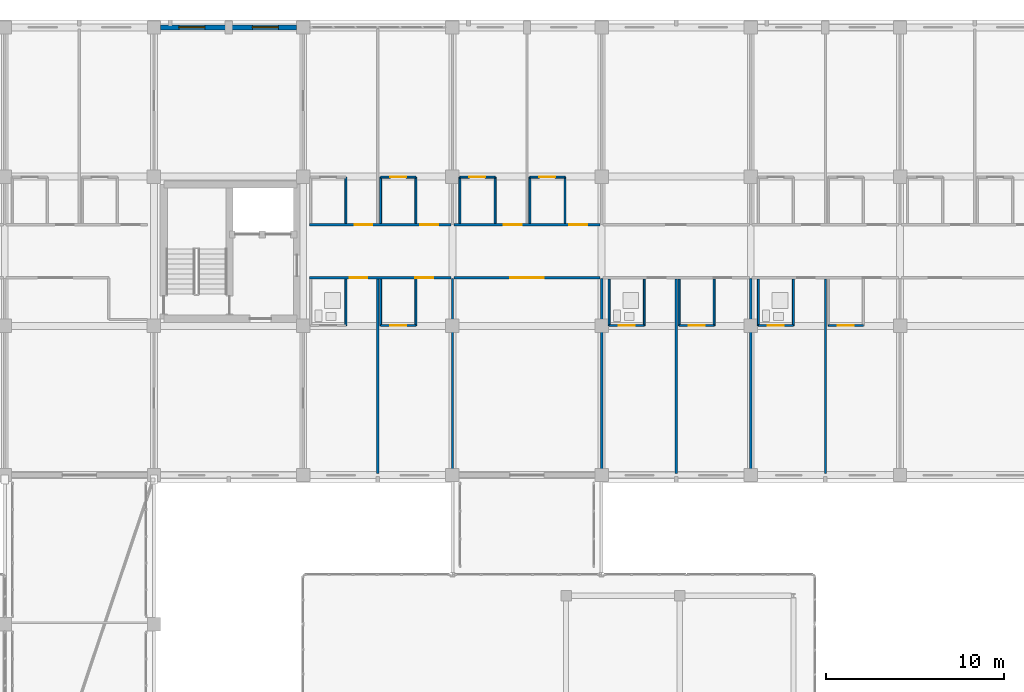
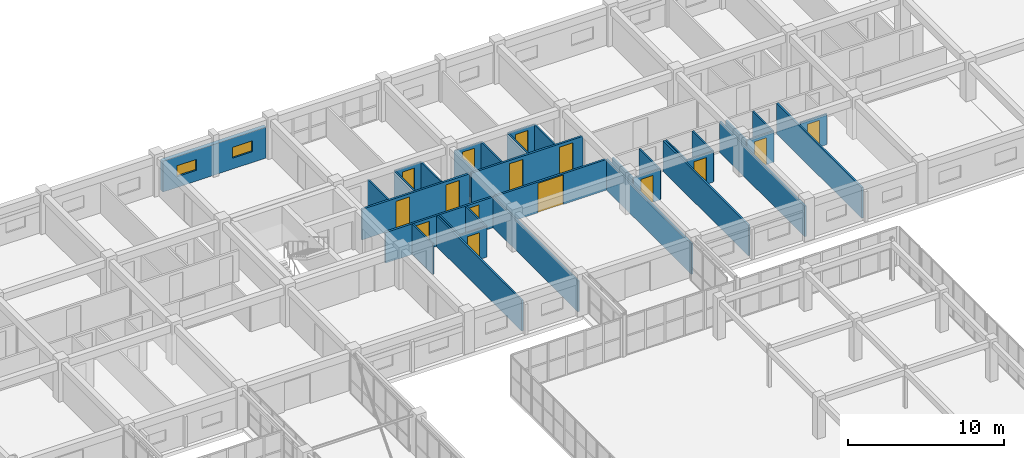
# One storey, part 179 of 200: 35 walls, 15 doors, 2 windows, 17 openings.
"""IFC4 building model written with IfcOpenShell, lengths in metres."""

from ifc_helpers import new_model, si_unit, direction, frame, frame_2d, origin, place, context, subcontext, project, spatial, rectangle, extrude, material, layer, layer_set, type_object, element, fill, save


model = new_model("IFC4")

# Units and contexts
model_context = context("Model", 3, precision=1e-05, world=origin(), true_north=direction((0.0, 1.0)))
body_context = subcontext(model_context, "Body", "Model", "MODEL_VIEW")
ifc_project = project(units=[si_unit("LENGTHUNIT", "METRE"), si_unit("AREAUNIT", "SQUARE_METRE"), si_unit("VOLUMEUNIT", "CUBIC_METRE"), si_unit("PLANEANGLEUNIT", "RADIAN"), si_unit("MASSUNIT", "GRAM", prefix="KILO")], contexts=[model_context])

# Site, building, storey
site_placement = place(None, origin())
site = spatial("IfcSite", under=ifc_project, at=site_placement, CompositionType="ELEMENT")
building_placement = place(site_placement, origin())
building = spatial("IfcBuilding", under=site, at=building_placement, Name="Trelvath General Hospital", CompositionType="ELEMENT")
storey_placement = place(building_placement, frame((0.0, 0.0, 4.800048828125)))
storey = spatial("IfcBuildingStorey", under=building, at=storey_placement, Name="L01", CompositionType="ELEMENT", Elevation=4.800048828125)

# Wall, openings, doors
ifc_material_1 = material(Name="Gypsum acoustic steel-stud partition", Category="steel")
ifc_layer_1 = layer(ifc_material_1, 0.14990234375)
ifc_layer_set_1 = layer_set([ifc_layer_1], Name="Gypsum acoustic steel-stud partition")
wall_type_1 = type_object("IfcWallType", Name="ClinicalPartition 150", PredefinedType="PARTITIONING", material=ifc_layer_set_1)
wall_1_placement = place(storey_placement, frame((92.760009765625, 103.5, 0.0), z_axis=(0.0, 0.0, 1.0), x_axis=(1.0, 0.0, 0.0)))
wall_1 = element("IfcWall", 1, at=wall_1_placement, inside=storey, type_object=wall_type_1, Name="Corridor Partition L01-595", PredefinedType="PARTITIONING", context=body_context, shape_type="SweptSolid", body=[
    extrude(rectangle(XDim=7.9599609375, YDim=0.14990234375, at=frame_2d((3.97998046875, 0.0))), origin(), (0.0, 0.0, 1.0), 2.39990234375),
])
opening_1_placement = place(wall_1_placement, frame((2.25, 0.0, 0.0)))
opening_1 = element("IfcOpeningElement", 2, at=opening_1_placement, cuts=wall_1, Name="Opening D-1-0581", PredefinedType="OPENING", context=body_context, shape_type="SweptSolid", body=[
    extrude(rectangle(XDim=1.0, YDim=2.14990234375, at=frame_2d((0.5, 1.074951171875))), frame((0.0, 0.0849609375, 0.0), z_axis=(0.0, -1.0, 0.0), x_axis=(1.0, 0.0, 0.0)), (0.0, 0.0, 1.0), 0.169921875),
])
opening_2_placement = place(wall_1_placement, frame((5.949951171875, 0.0, 0.0)))
opening_2 = element("IfcOpeningElement", 3, at=opening_2_placement, cuts=wall_1, Name="Opening D-1-0582", PredefinedType="OPENING", context=body_context, shape_type="SweptSolid", body=[
    extrude(rectangle(XDim=1.0, YDim=2.14990234375, at=frame_2d((0.5, 1.074951171875))), frame((0.0, 0.0849609375, 0.0), z_axis=(0.0, -1.0, 0.0), x_axis=(1.0, 0.0, 0.0)), (0.0, 0.0, 1.0), 0.169921875),
])
ifc_material_2 = material(Name="Acoustic hospital timber leaf", Category="wood")
door_type_1 = type_object("IfcDoorType", Name="Door Consult 1000x2150", OperationType="NOTDEFINED", PredefinedType="DOOR", material=ifc_material_2)
door_1_placement = place(opening_1_placement, origin())
door_1 = element("IfcDoor", 4, at=door_1_placement, inside=storey, type_object=door_type_1, Name="Patient Room Door L01-581", OperationType="SINGLE_SWING_RIGHT", OverallHeight=2.14990234375, OverallWidth=1.0, PredefinedType="DOOR", context=body_context, shape_type="SweptSolid", body=[
    extrude(rectangle(XDim=1.0, YDim=2.14990234375, at=frame_2d((0.5, 1.074951171875))), frame((0.0, 0.02490234375, 0.0), z_axis=(0.0, -1.0, 0.0), x_axis=(1.0, 0.0, 0.0)), (0.0, 0.0, 1.0), 0.050048828125),
])
fill(opening_1, door_1)
door_2_placement = place(opening_2_placement, origin())
door_2 = element("IfcDoor", 5, at=door_2_placement, inside=storey, type_object=door_type_1, Name="Patient Room Door L01-582", OperationType="SINGLE_SWING_LEFT", OverallHeight=2.14990234375, OverallWidth=1.0, PredefinedType="DOOR", context=body_context, shape_type="SweptSolid", body=[
    extrude(rectangle(XDim=1.0, YDim=2.14990234375, at=frame_2d((0.5, 1.074951171875))), frame((0.0, 0.02490234375, 0.0), z_axis=(0.0, -1.0, 0.0), x_axis=(1.0, 0.0, 0.0)), (0.0, 0.0, 1.0), 0.050048828125),
])
fill(opening_2, door_2)

wall_2_placement = place(storey_placement, frame((100.719970703125, 106.5, 0.0), z_axis=(0.0, 0.0, 1.0), x_axis=(-1.0, 0.0, 0.0)))
wall_2 = element("IfcWall", 6, at=wall_2_placement, inside=storey, type_object=wall_type_1, Name="Corridor Partition N L01-603", PredefinedType="PARTITIONING", context=body_context, shape_type="SweptSolid", body=[
    extrude(rectangle(XDim=7.9599609375, YDim=0.14990234375, at=frame_2d((3.97998046875, 0.0))), origin(), (0.0, 0.0, 1.0), 2.39990234375),
])
opening_3_placement = place(wall_2_placement, frame((0.72998046875, 0.0, 0.0)))
opening_3 = element("IfcOpeningElement", 7, at=opening_3_placement, cuts=wall_2, Name="Opening D-1-0585", PredefinedType="OPENING", context=body_context, shape_type="SweptSolid", body=[
    extrude(rectangle(XDim=1.0, YDim=2.14990234375, at=frame_2d((0.5, 1.074951171875))), frame((0.0, 0.0849609375, 0.0), z_axis=(0.0, -1.0, 0.0), x_axis=(1.0, 0.0, 0.0)), (0.0, 0.0, 1.0), 0.169921875),
])
opening_4_placement = place(wall_2_placement, frame((4.429931640625, 0.0, 0.0)))
opening_4 = element("IfcOpeningElement", 8, at=opening_4_placement, cuts=wall_2, Name="Opening D-1-0586", PredefinedType="OPENING", context=body_context, shape_type="SweptSolid", body=[
    extrude(rectangle(XDim=1.0, YDim=2.14990234375, at=frame_2d((0.5, 1.074951171875))), frame((0.0, 0.0849609375, 0.0), z_axis=(0.0, -1.0, 0.0), x_axis=(1.0, 0.0, 0.0)), (0.0, 0.0, 1.0), 0.169921875),
])
door_3_placement = place(opening_3_placement, origin())
door_3 = element("IfcDoor", 9, at=door_3_placement, inside=storey, type_object=door_type_1, Name="Patient Room Door N L01-585", OperationType="SINGLE_SWING_RIGHT", OverallHeight=2.14990234375, OverallWidth=1.0, PredefinedType="DOOR", context=body_context, shape_type="SweptSolid", body=[
    extrude(rectangle(XDim=1.0, YDim=2.14990234375, at=frame_2d((0.5, 1.074951171875))), frame((0.0, 0.02490234375, 0.0), z_axis=(0.0, -1.0, 0.0), x_axis=(1.0, 0.0, 0.0)), (0.0, 0.0, 1.0), 0.050048828125),
])
fill(opening_3, door_3)
door_4_placement = place(opening_4_placement, origin())
door_4 = element("IfcDoor", 10, at=door_4_placement, inside=storey, type_object=door_type_1, Name="Patient Room Door N L01-586", OperationType="SINGLE_SWING_RIGHT", OverallHeight=2.14990234375, OverallWidth=1.0, PredefinedType="DOOR", context=body_context, shape_type="SweptSolid", body=[
    extrude(rectangle(XDim=1.0, YDim=2.14990234375, at=frame_2d((0.5, 1.074951171875))), frame((0.0, 0.02490234375, 0.0), z_axis=(0.0, -1.0, 0.0), x_axis=(1.0, 0.0, 0.0)), (0.0, 0.0, 1.0), 0.050048828125),
])
fill(opening_4, door_4)

# Wall, opening, door
wall_3_placement = place(storey_placement, frame((100.8798828125, 103.5, 0.0), z_axis=(0.0, 0.0, 1.0), x_axis=(1.0, 0.0, 0.0)))
wall_3 = element("IfcWall", 11, at=wall_3_placement, inside=storey, type_object=wall_type_1, Name="Corridor Partition L01-613", PredefinedType="PARTITIONING", context=body_context, shape_type="SweptSolid", body=[
    extrude(rectangle(XDim=8.240234375, YDim=0.14990234375, at=frame_2d((4.1201171875, 0.0))), origin(), (0.0, 0.0, 1.0), 2.39990234375),
])
opening_5_placement = place(wall_3_placement, frame((3.169921875, 0.0, 0.0)))
opening_5 = element("IfcOpeningElement", 12, at=opening_5_placement, cuts=wall_3, Name="Opening D-1-0589", PredefinedType="OPENING", context=body_context, shape_type="SweptSolid", body=[
    extrude(rectangle(XDim=1.89990234375, YDim=2.300048828125, at=frame_2d((0.949951171875, 1.14990234375))), frame((0.0, 0.0849609375, 0.0), z_axis=(0.0, -1.0, 0.0), x_axis=(1.0, 0.0, 0.0)), (0.0, 0.0, 1.0), 0.169921875),
])
ifc_material_3 = material(Name="Thermally broken glazed aluminium pair", Category="aluminium")
door_type_2 = type_object("IfcDoorType", Name="Door BridgeEntry 1900x2400", OperationType="DOUBLE_SWING_LEFT", PredefinedType="DOOR", material=ifc_material_3)
door_5_placement = place(opening_5_placement, origin())
door_5 = element("IfcDoor", 13, at=door_5_placement, inside=storey, type_object=door_type_2, Name="Bridge Lounge Corridor Door L01-589", OperationType="DOUBLE_SWING_LEFT", OverallHeight=2.300048828125, OverallWidth=1.89990234375, PredefinedType="DOOR", context=body_context, shape_type="SweptSolid", body=[
    extrude(rectangle(XDim=1.89990234375, YDim=2.300048828125, at=frame_2d((0.949951171875, 1.14990234375))), frame((0.0, 0.02490234375, 0.0), z_axis=(0.0, -1.0, 0.0), x_axis=(1.0, 0.0, 0.0)), (0.0, 0.0, 1.0), 0.050048828125),
])
fill(opening_5, door_5)

# Wall, openings, doors
wall_4_placement = place(storey_placement, frame((109.1201171875, 106.5, 0.0), z_axis=(0.0, 0.0, 1.0), x_axis=(-1.0, 0.0, 0.0)))
wall_4 = element("IfcWall", 14, at=wall_4_placement, inside=storey, type_object=wall_type_1, Name="Corridor Partition N L01-614", PredefinedType="PARTITIONING", context=body_context, shape_type="SweptSolid", body=[
    extrude(rectangle(XDim=8.240234375, YDim=0.14990234375, at=frame_2d((4.1201171875, 0.0))), origin(), (0.0, 0.0, 1.0), 2.39990234375),
])
opening_6_placement = place(wall_4_placement, frame((0.72998046875, 0.0, 0.0)))
opening_6 = element("IfcOpeningElement", 15, at=opening_6_placement, cuts=wall_4, Name="Opening D-1-0590", PredefinedType="OPENING", context=body_context, shape_type="SweptSolid", body=[
    extrude(rectangle(XDim=1.0, YDim=2.14990234375, at=frame_2d((0.5, 1.074951171875))), frame((0.0, 0.0849609375, 0.0), z_axis=(0.0, -1.0, 0.0), x_axis=(1.0, 0.0, 0.0)), (0.0, 0.0, 1.0), 0.169921875),
])
opening_7_placement = place(wall_4_placement, frame((4.429931640625, 0.0, 0.0)))
opening_7 = element("IfcOpeningElement", 16, at=opening_7_placement, cuts=wall_4, Name="Opening D-1-0591", PredefinedType="OPENING", context=body_context, shape_type="SweptSolid", body=[
    extrude(rectangle(XDim=1.0, YDim=2.14990234375, at=frame_2d((0.5, 1.074951171875))), frame((0.0, 0.0849609375, 0.0), z_axis=(0.0, -1.0, 0.0), x_axis=(1.0, 0.0, 0.0)), (0.0, 0.0, 1.0), 0.169921875),
])
door_6_placement = place(opening_6_placement, origin())
door_6 = element("IfcDoor", 17, at=door_6_placement, inside=storey, type_object=door_type_1, Name="Patient Room Door N L01-590", OperationType="SINGLE_SWING_LEFT", OverallHeight=2.14990234375, OverallWidth=1.0, PredefinedType="DOOR", context=body_context, shape_type="SweptSolid", body=[
    extrude(rectangle(XDim=1.0, YDim=2.14990234375, at=frame_2d((0.5, 1.074951171875))), frame((0.0, 0.02490234375, 0.0), z_axis=(0.0, -1.0, 0.0), x_axis=(1.0, 0.0, 0.0)), (0.0, 0.0, 1.0), 0.050048828125),
])
fill(opening_6, door_6)
door_7_placement = place(opening_7_placement, origin())
door_7 = element("IfcDoor", 18, at=door_7_placement, inside=storey, type_object=door_type_1, Name="Patient Room Door N L01-591", OperationType="SINGLE_SWING_LEFT", OverallHeight=2.14990234375, OverallWidth=1.0, PredefinedType="DOOR", context=body_context, shape_type="SweptSolid", body=[
    extrude(rectangle(XDim=1.0, YDim=2.14990234375, at=frame_2d((0.5, 1.074951171875))), frame((0.0, 0.02490234375, 0.0), z_axis=(0.0, -1.0, 0.0), x_axis=(1.0, 0.0, 0.0)), (0.0, 0.0, 1.0), 0.050048828125),
])
fill(opening_7, door_7)

# Walls
ifc_material_4 = material(Name="Moisture-resistant tile partition")
ifc_layer_2 = layer(ifc_material_4, 0.110107421875)
ifc_layer_set_2 = layer_set([ifc_layer_2], Name="Moisture-resistant tile partition")
wall_type_2 = type_object("IfcWallType", Name="EnSuiteWetWall 110", PredefinedType="PARTITIONING", material=ifc_layer_set_2)
for number, where, z_axis, x_axis, name in (
    (19, (94.800048828125, 100.820068359375, 0.0), (0.0, 0.0, 1.0), (0.0, 1.0, 0.0), "En-Suite E Wall L01-598"),
    (20, (96.760009765625, 100.820068359375, 0.0), (0.0, 0.0, 1.0), (0.0, 1.0, 0.0), "En-Suite W Wall L01-600"),
    (21, (98.739990234375, 100.820068359375, 0.0), (0.0, 0.0, 1.0), (0.0, 1.0, 0.0), "En-Suite E Wall L01-601"),
):
    element("IfcWall", number, at=place(storey_placement, frame(where, z_axis=z_axis, x_axis=x_axis)), inside=storey, type_object=wall_type_2, Name=name, PredefinedType="PARTITIONING", context=body_context, shape_type="SweptSolid", body=[
        extrude(rectangle(XDim=2.60986328125, YDim=0.110107421875, at=frame_2d((1.304931640625, 0.0))), origin(), (0.0, 0.0, 1.0), 2.39990234375),
    ])

# Wall, opening, door
wall_5_placement = place(storey_placement, frame((96.760009765625, 100.820068359375, 0.0), z_axis=(0.0, 0.0, 1.0), x_axis=(1.0, 0.0, 0.0)))
wall_5 = element("IfcWall", 22, at=wall_5_placement, inside=storey, type_object=wall_type_2, Name="En-Suite Bathroom Partition L01-602", PredefinedType="PARTITIONING", context=body_context, shape_type="SweptSolid", body=[
    extrude(rectangle(XDim=1.97998046875, YDim=0.110107421875, at=frame_2d((0.989990234375, 0.0))), origin(), (0.0, 0.0, 1.0), 2.39990234375),
])
opening_8_placement = place(wall_5_placement, frame((0.5400390625, 0.0, 0.0)))
opening_8 = element("IfcOpeningElement", 23, at=opening_8_placement, cuts=wall_5, Name="Opening D-1-0584", PredefinedType="OPENING", context=body_context, shape_type="SweptSolid", body=[
    extrude(rectangle(XDim=0.89990234375, YDim=2.10009765625, at=frame_2d((0.449951171875, 1.050048828125))), frame((0.0, 0.06494140625, 0.0), z_axis=(0.0, -1.0, 0.0), x_axis=(1.0, 0.0, 0.0)), (0.0, 0.0, 1.0), 0.130126953125),
])
ifc_material_5 = material(Name="Moisture-sealed timber leaf", Category="wood")
door_type_3 = type_object("IfcDoorType", Name="Door EnSuite 900x2100", OperationType="NOTDEFINED", PredefinedType="DOOR", material=ifc_material_5)
door_8_placement = place(opening_8_placement, origin())
door_8 = element("IfcDoor", 24, at=door_8_placement, inside=storey, type_object=door_type_3, Name="En-Suite Bathroom Door L01-584", OperationType="SINGLE_SWING_LEFT", OverallHeight=2.10009765625, OverallWidth=0.89990234375, PredefinedType="DOOR", context=body_context, shape_type="SweptSolid", body=[
    extrude(rectangle(XDim=0.89990234375, YDim=2.10009765625, at=frame_2d((0.449951171875, 1.050048828125))), frame((0.0, 0.02490234375, 0.0), z_axis=(0.0, -1.0, 0.0), x_axis=(1.0, 0.0, 0.0)), (0.0, 0.0, 1.0), 0.050048828125),
])
fill(opening_8, door_8)

# Walls
for number, where, z_axis, x_axis, name in (
    (25, (94.800048828125, 106.570068359375, 0.0), (0.0, 0.0, 1.0), (0.0, 1.0, 0.0), "En-Suite E Wall N L01-606"),
    (26, (96.760009765625, 106.570068359375, 0.0), (0.0, 0.0, 1.0), (0.0, 1.0, 0.0), "En-Suite W Wall N L01-608"),
    (27, (98.739990234375, 106.570068359375, 0.0), (0.0, 0.0, 1.0), (0.0, 1.0, 0.0), "En-Suite E Wall N L01-609"),
):
    element("IfcWall", number, at=place(storey_placement, frame(where, z_axis=z_axis, x_axis=x_axis)), inside=storey, type_object=wall_type_2, Name=name, PredefinedType="PARTITIONING", context=body_context, shape_type="SweptSolid", body=[
        extrude(rectangle(XDim=2.60986328125, YDim=0.110107421875, at=frame_2d((1.304931640625, 0.0))), origin(), (0.0, 0.0, 1.0), 2.39990234375),
    ])

# Wall, opening, door
wall_6_placement = place(storey_placement, frame((96.760009765625, 109.179931640625, 0.0), z_axis=(0.0, 0.0, 1.0), x_axis=(1.0, 0.0, 0.0)))
wall_6 = element("IfcWall", 28, at=wall_6_placement, inside=storey, type_object=wall_type_2, Name="En-Suite Bathroom N Partition L01-610", PredefinedType="PARTITIONING", context=body_context, shape_type="SweptSolid", body=[
    extrude(rectangle(XDim=1.97998046875, YDim=0.110107421875, at=frame_2d((0.989990234375, 0.0))), origin(), (0.0, 0.0, 1.0), 2.39990234375),
])
opening_9_placement = place(wall_6_placement, frame((0.5400390625, 0.0, 0.0)))
opening_9 = element("IfcOpeningElement", 29, at=opening_9_placement, cuts=wall_6, Name="Opening D-1-0588", PredefinedType="OPENING", context=body_context, shape_type="SweptSolid", body=[
    extrude(rectangle(XDim=0.89990234375, YDim=2.10009765625, at=frame_2d((0.449951171875, 1.050048828125))), frame((0.0, 0.06494140625, 0.0), z_axis=(0.0, -1.0, 0.0), x_axis=(1.0, 0.0, 0.0)), (0.0, 0.0, 1.0), 0.130126953125),
])
door_9_placement = place(opening_9_placement, origin())
door_9 = element("IfcDoor", 30, at=door_9_placement, inside=storey, type_object=door_type_3, Name="En-Suite Bathroom N Door L01-588", OperationType="SINGLE_SWING_RIGHT", OverallHeight=2.10009765625, OverallWidth=0.89990234375, PredefinedType="DOOR", context=body_context, shape_type="SweptSolid", body=[
    extrude(rectangle(XDim=0.89990234375, YDim=2.10009765625, at=frame_2d((0.449951171875, 1.050048828125))), frame((0.0, 0.02490234375, 0.0), z_axis=(0.0, -1.0, 0.0), x_axis=(1.0, 0.0, 0.0)), (0.0, 0.0, 1.0), 0.050048828125),
])
fill(opening_9, door_9)

# Walls
for number, where, z_axis, x_axis, name in (
    (31, (101.219970703125, 106.570068359375, 0.0), (0.0, 0.0, 1.0), (0.0, 1.0, 0.0), "En-Suite W Wall N L01-616"),
    (32, (103.199951171875, 106.570068359375, 0.0), (0.0, 0.0, 1.0), (0.0, 1.0, 0.0), "En-Suite E Wall N L01-617"),
):
    element("IfcWall", number, at=place(storey_placement, frame(where, z_axis=z_axis, x_axis=x_axis)), inside=storey, type_object=wall_type_2, Name=name, PredefinedType="PARTITIONING", context=body_context, shape_type="SweptSolid", body=[
        extrude(rectangle(XDim=2.60986328125, YDim=0.110107421875, at=frame_2d((1.304931640625, 0.0))), origin(), (0.0, 0.0, 1.0), 2.39990234375),
    ])

# Wall, opening, door
wall_7_placement = place(storey_placement, frame((101.219970703125, 109.179931640625, 0.0), z_axis=(0.0, 0.0, 1.0), x_axis=(1.0, 0.0, 0.0)))
wall_7 = element("IfcWall", 33, at=wall_7_placement, inside=storey, type_object=wall_type_2, Name="En-Suite Bathroom N Partition L01-618", PredefinedType="PARTITIONING", context=body_context, shape_type="SweptSolid", body=[
    extrude(rectangle(XDim=1.97998046875, YDim=0.110107421875, at=frame_2d((0.989990234375, 0.0))), origin(), (0.0, 0.0, 1.0), 2.39990234375),
])
opening_10_placement = place(wall_7_placement, frame((0.5400390625, 0.0, 0.0)))
opening_10 = element("IfcOpeningElement", 34, at=opening_10_placement, cuts=wall_7, Name="Opening D-1-0592", PredefinedType="OPENING", context=body_context, shape_type="SweptSolid", body=[
    extrude(rectangle(XDim=0.89990234375, YDim=2.10009765625, at=frame_2d((0.449951171875, 1.050048828125))), frame((0.0, 0.06494140625, 0.0), z_axis=(0.0, -1.0, 0.0), x_axis=(1.0, 0.0, 0.0)), (0.0, 0.0, 1.0), 0.130126953125),
])
door_10_placement = place(opening_10_placement, origin())
door_10 = element("IfcDoor", 35, at=door_10_placement, inside=storey, type_object=door_type_3, Name="En-Suite Bathroom N Door L01-592", OperationType="SINGLE_SWING_RIGHT", OverallHeight=2.10009765625, OverallWidth=0.89990234375, PredefinedType="DOOR", context=body_context, shape_type="SweptSolid", body=[
    extrude(rectangle(XDim=0.89990234375, YDim=2.10009765625, at=frame_2d((0.449951171875, 1.050048828125))), frame((0.0, 0.02490234375, 0.0), z_axis=(0.0, -1.0, 0.0), x_axis=(1.0, 0.0, 0.0)), (0.0, 0.0, 1.0), 0.050048828125),
])
fill(opening_10, door_10)

# Walls
for number, where, z_axis, x_axis, name in (
    (36, (105.159912109375, 106.570068359375, 0.0), (0.0, 0.0, 1.0), (0.0, 1.0, 0.0), "En-Suite W Wall N L01-619"),
    (37, (107.139892578125, 106.570068359375, 0.0), (0.0, 0.0, 1.0), (0.0, 1.0, 0.0), "En-Suite E Wall N L01-620"),
):
    element("IfcWall", number, at=place(storey_placement, frame(where, z_axis=z_axis, x_axis=x_axis)), inside=storey, type_object=wall_type_2, Name=name, PredefinedType="PARTITIONING", context=body_context, shape_type="SweptSolid", body=[
        extrude(rectangle(XDim=2.60986328125, YDim=0.110107421875, at=frame_2d((1.304931640625, 0.0))), origin(), (0.0, 0.0, 1.0), 2.39990234375),
    ])

# Wall, opening, door
wall_8_placement = place(storey_placement, frame((105.159912109375, 109.179931640625, 0.0), z_axis=(0.0, 0.0, 1.0), x_axis=(1.0, 0.0, 0.0)))
wall_8 = element("IfcWall", 38, at=wall_8_placement, inside=storey, type_object=wall_type_2, Name="En-Suite Bathroom N Partition L01-621", PredefinedType="PARTITIONING", context=body_context, shape_type="SweptSolid", body=[
    extrude(rectangle(XDim=1.97998046875, YDim=0.110107421875, at=frame_2d((0.989990234375, 0.0))), origin(), (0.0, 0.0, 1.0), 2.39990234375),
])
opening_11_placement = place(wall_8_placement, frame((0.5400390625, 0.0, 0.0)))
opening_11 = element("IfcOpeningElement", 39, at=opening_11_placement, cuts=wall_8, Name="Opening D-1-0593", PredefinedType="OPENING", context=body_context, shape_type="SweptSolid", body=[
    extrude(rectangle(XDim=0.89990234375, YDim=2.10009765625, at=frame_2d((0.449951171875, 1.050048828125))), frame((0.0, 0.06494140625, 0.0), z_axis=(0.0, -1.0, 0.0), x_axis=(1.0, 0.0, 0.0)), (0.0, 0.0, 1.0), 0.130126953125),
])
door_11_placement = place(opening_11_placement, origin())
door_11 = element("IfcDoor", 40, at=door_11_placement, inside=storey, type_object=door_type_3, Name="En-Suite Bathroom N Door L01-593", OperationType="SINGLE_SWING_LEFT", OverallHeight=2.10009765625, OverallWidth=0.89990234375, PredefinedType="DOOR", context=body_context, shape_type="SweptSolid", body=[
    extrude(rectangle(XDim=0.89990234375, YDim=2.10009765625, at=frame_2d((0.449951171875, 1.050048828125))), frame((0.0, 0.02490234375, 0.0), z_axis=(0.0, -1.0, 0.0), x_axis=(1.0, 0.0, 0.0)), (0.0, 0.0, 1.0), 0.050048828125),
])
fill(opening_11, door_11)

# Walls
for number, where, z_axis, x_axis, name in (
    (41, (109.6201171875, 100.820068359375, 0.0), (0.0, 0.0, 1.0), (0.0, 1.0, 0.0), "En-Suite W Wall L01-626"),
    (42, (111.60009765625, 100.820068359375, 0.0), (0.0, 0.0, 1.0), (0.0, 1.0, 0.0), "En-Suite E Wall L01-627"),
):
    element("IfcWall", number, at=place(storey_placement, frame(where, z_axis=z_axis, x_axis=x_axis)), inside=storey, type_object=wall_type_2, Name=name, PredefinedType="PARTITIONING", context=body_context, shape_type="SweptSolid", body=[
        extrude(rectangle(XDim=2.60986328125, YDim=0.110107421875, at=frame_2d((1.304931640625, 0.0))), origin(), (0.0, 0.0, 1.0), 2.39990234375),
    ])

# Wall, opening, door
wall_9_placement = place(storey_placement, frame((109.6201171875, 100.820068359375, 0.0), z_axis=(0.0, 0.0, 1.0), x_axis=(1.0, 0.0, 0.0)))
wall_9 = element("IfcWall", 43, at=wall_9_placement, inside=storey, type_object=wall_type_2, Name="En-Suite Bathroom Partition L01-628", PredefinedType="PARTITIONING", context=body_context, shape_type="SweptSolid", body=[
    extrude(rectangle(XDim=1.97998046875, YDim=0.110107421875, at=frame_2d((0.989990234375, 0.0))), origin(), (0.0, 0.0, 1.0), 2.39990234375),
])
opening_12_placement = place(wall_9_placement, frame((0.5400390625, 0.0, 0.0)))
opening_12 = element("IfcOpeningElement", 44, at=opening_12_placement, cuts=wall_9, Name="Opening D-1-0596", PredefinedType="OPENING", context=body_context, shape_type="SweptSolid", body=[
    extrude(rectangle(XDim=0.89990234375, YDim=2.10009765625, at=frame_2d((0.449951171875, 1.050048828125))), frame((0.0, 0.06494140625, 0.0), z_axis=(0.0, -1.0, 0.0), x_axis=(1.0, 0.0, 0.0)), (0.0, 0.0, 1.0), 0.130126953125),
])
door_12_placement = place(opening_12_placement, origin())
door_12 = element("IfcDoor", 45, at=door_12_placement, inside=storey, type_object=door_type_3, Name="En-Suite Bathroom Door L01-596", OperationType="SINGLE_SWING_RIGHT", OverallHeight=2.10009765625, OverallWidth=0.89990234375, PredefinedType="DOOR", context=body_context, shape_type="SweptSolid", body=[
    extrude(rectangle(XDim=0.89990234375, YDim=2.10009765625, at=frame_2d((0.449951171875, 1.050048828125))), frame((0.0, 0.02490234375, 0.0), z_axis=(0.0, -1.0, 0.0), x_axis=(1.0, 0.0, 0.0)), (0.0, 0.0, 1.0), 0.050048828125),
])
fill(opening_12, door_12)

# Walls
for number, where, z_axis, x_axis, name in (
    (46, (113.56005859375, 100.820068359375, 0.0), (0.0, 0.0, 1.0), (0.0, 1.0, 0.0), "En-Suite W Wall L01-629"),
    (47, (115.5400390625, 100.820068359375, 0.0), (0.0, 0.0, 1.0), (0.0, 1.0, 0.0), "En-Suite E Wall L01-630"),
):
    element("IfcWall", number, at=place(storey_placement, frame(where, z_axis=z_axis, x_axis=x_axis)), inside=storey, type_object=wall_type_2, Name=name, PredefinedType="PARTITIONING", context=body_context, shape_type="SweptSolid", body=[
        extrude(rectangle(XDim=2.60986328125, YDim=0.110107421875, at=frame_2d((1.304931640625, 0.0))), origin(), (0.0, 0.0, 1.0), 2.39990234375),
    ])

# Wall, opening, door
wall_10_placement = place(storey_placement, frame((113.56005859375, 100.820068359375, 0.0), z_axis=(0.0, 0.0, 1.0), x_axis=(1.0, 0.0, 0.0)))
wall_10 = element("IfcWall", 48, at=wall_10_placement, inside=storey, type_object=wall_type_2, Name="En-Suite Bathroom Partition L01-631", PredefinedType="PARTITIONING", context=body_context, shape_type="SweptSolid", body=[
    extrude(rectangle(XDim=1.97998046875, YDim=0.110107421875, at=frame_2d((0.989990234375, 0.0))), origin(), (0.0, 0.0, 1.0), 2.39990234375),
])
opening_13_placement = place(wall_10_placement, frame((0.5400390625, 0.0, 0.0)))
opening_13 = element("IfcOpeningElement", 49, at=opening_13_placement, cuts=wall_10, Name="Opening D-1-0597", PredefinedType="OPENING", context=body_context, shape_type="SweptSolid", body=[
    extrude(rectangle(XDim=0.89990234375, YDim=2.10009765625, at=frame_2d((0.449951171875, 1.050048828125))), frame((0.0, 0.06494140625, 0.0), z_axis=(0.0, -1.0, 0.0), x_axis=(1.0, 0.0, 0.0)), (0.0, 0.0, 1.0), 0.130126953125),
])
door_13_placement = place(opening_13_placement, origin())
door_13 = element("IfcDoor", 50, at=door_13_placement, inside=storey, type_object=door_type_3, Name="En-Suite Bathroom Door L01-597", OperationType="SINGLE_SWING_LEFT", OverallHeight=2.10009765625, OverallWidth=0.89990234375, PredefinedType="DOOR", context=body_context, shape_type="SweptSolid", body=[
    extrude(rectangle(XDim=0.89990234375, YDim=2.10009765625, at=frame_2d((0.449951171875, 1.050048828125))), frame((0.0, 0.02490234375, 0.0), z_axis=(0.0, -1.0, 0.0), x_axis=(1.0, 0.0, 0.0)), (0.0, 0.0, 1.0), 0.050048828125),
])
fill(opening_13, door_13)

# Walls
for number, where, z_axis, x_axis, name in (
    (51, (118.02001953125, 100.820068359375, 0.0), (0.0, 0.0, 1.0), (0.0, 1.0, 0.0), "En-Suite W Wall L01-637"),
    (52, (120.0, 100.820068359375, 0.0), (0.0, 0.0, 1.0), (0.0, 1.0, 0.0), "En-Suite E Wall L01-638"),
):
    element("IfcWall", number, at=place(storey_placement, frame(where, z_axis=z_axis, x_axis=x_axis)), inside=storey, type_object=wall_type_2, Name=name, PredefinedType="PARTITIONING", context=body_context, shape_type="SweptSolid", body=[
        extrude(rectangle(XDim=2.60986328125, YDim=0.110107421875, at=frame_2d((1.304931640625, 0.0))), origin(), (0.0, 0.0, 1.0), 2.39990234375),
    ])

# Wall, opening, door
wall_11_placement = place(storey_placement, frame((118.02001953125, 100.820068359375, 0.0), z_axis=(0.0, 0.0, 1.0), x_axis=(1.0, 0.0, 0.0)))
wall_11 = element("IfcWall", 53, at=wall_11_placement, inside=storey, type_object=wall_type_2, Name="En-Suite Bathroom Partition L01-639", PredefinedType="PARTITIONING", context=body_context, shape_type="SweptSolid", body=[
    extrude(rectangle(XDim=1.97998046875, YDim=0.110107421875, at=frame_2d((0.989990234375, 0.0))), origin(), (0.0, 0.0, 1.0), 2.39990234375),
])
opening_14_placement = place(wall_11_placement, frame((0.5400390625, 0.0, 0.0)))
opening_14 = element("IfcOpeningElement", 54, at=opening_14_placement, cuts=wall_11, Name="Opening D-1-0601", PredefinedType="OPENING", context=body_context, shape_type="SweptSolid", body=[
    extrude(rectangle(XDim=0.89990234375, YDim=2.10009765625, at=frame_2d((0.449951171875, 1.050048828125))), frame((0.0, 0.06494140625, 0.0), z_axis=(0.0, -1.0, 0.0), x_axis=(1.0, 0.0, 0.0)), (0.0, 0.0, 1.0), 0.130126953125),
])
door_14_placement = place(opening_14_placement, origin())
door_14 = element("IfcDoor", 55, at=door_14_placement, inside=storey, type_object=door_type_3, Name="En-Suite Bathroom Door L01-601", OperationType="SINGLE_SWING_LEFT", OverallHeight=2.10009765625, OverallWidth=0.89990234375, PredefinedType="DOOR", context=body_context, shape_type="SweptSolid", body=[
    extrude(rectangle(XDim=0.89990234375, YDim=2.10009765625, at=frame_2d((0.449951171875, 1.050048828125))), frame((0.0, 0.02490234375, 0.0), z_axis=(0.0, -1.0, 0.0), x_axis=(1.0, 0.0, 0.0)), (0.0, 0.0, 1.0), 0.050048828125),
])
fill(opening_14, door_14)

wall_12_placement = place(storey_placement, frame((121.9599609375, 100.820068359375, 0.0), z_axis=(0.0, 0.0, 1.0), x_axis=(1.0, 0.0, 0.0)))
wall_12 = element("IfcWall", 56, at=wall_12_placement, inside=storey, type_object=wall_type_2, Name="En-Suite Bathroom Partition L01-642", PredefinedType="PARTITIONING", context=body_context, shape_type="SweptSolid", body=[
    extrude(rectangle(XDim=1.97998046875, YDim=0.110107421875, at=frame_2d((0.989990234375, 0.0))), origin(), (0.0, 0.0, 1.0), 2.39990234375),
])
opening_15_placement = place(wall_12_placement, frame((0.5400390625, 0.0, 0.0)))
opening_15 = element("IfcOpeningElement", 57, at=opening_15_placement, cuts=wall_12, Name="Opening D-1-0602", PredefinedType="OPENING", context=body_context, shape_type="SweptSolid", body=[
    extrude(rectangle(XDim=0.89990234375, YDim=2.10009765625, at=frame_2d((0.449951171875, 1.050048828125))), frame((0.0, 0.06494140625, 0.0), z_axis=(0.0, -1.0, 0.0), x_axis=(1.0, 0.0, 0.0)), (0.0, 0.0, 1.0), 0.130126953125),
])
door_15_placement = place(opening_15_placement, origin())
door_15 = element("IfcDoor", 58, at=door_15_placement, inside=storey, type_object=door_type_3, Name="En-Suite Bathroom Door L01-602", OperationType="SINGLE_SWING_RIGHT", OverallHeight=2.10009765625, OverallWidth=0.89990234375, PredefinedType="DOOR", context=body_context, shape_type="SweptSolid", body=[
    extrude(rectangle(XDim=0.89990234375, YDim=2.10009765625, at=frame_2d((0.449951171875, 1.050048828125))), frame((0.0, 0.02490234375, 0.0), z_axis=(0.0, -1.0, 0.0), x_axis=(1.0, 0.0, 0.0)), (0.0, 0.0, 1.0), 0.050048828125),
])
fill(opening_15, door_15)

# Wall, openings, windows
ifc_material_6 = material(Name="Concrete C35/45", Category="concrete")
ifc_layer_3 = layer(ifc_material_6, 0.2900390625)
ifc_layer_set_3 = layer_set([ifc_layer_3], Name="Concrete C35/45")
wall_type_3 = type_object("IfcWallType", Name="ExtBushHammeredWall 290", PredefinedType="SOLIDWALL", material=ifc_layer_set_3)
wall_13_placement = place(storey_placement, frame((84.3701171875, 117.60009765625, 0.0), z_axis=(0.0, 0.0, 1.0), x_axis=(1.0, 0.0, 0.0)))
wall_13 = element("IfcWall", 59, at=wall_13_placement, inside=storey, type_object=wall_type_3, Name="Exterior Concrete Wall L01-169", PredefinedType="SOLIDWALL", context=body_context, shape_type="SweptSolid", body=[
    extrude(rectangle(XDim=7.659912109375, YDim=0.2900390625, at=frame_2d((3.830078125, 0.0))), origin(), (0.0, 0.0, 1.0), 2.419921875),
])
opening_16_placement = place(wall_13_placement, frame((1.03173828125, 0.0, 0.85009765625)))
opening_16 = element("IfcOpeningElement", 60, at=opening_16_placement, cuts=wall_13, Name="Opening WN-1-243", PredefinedType="OPENING", context=body_context, shape_type="SweptSolid", body=[
    extrude(rectangle(XDim=1.4599609375, YDim=0.85009765625, at=frame_2d((0.72998046875, 0.425048828125))), frame((0.0, 0.155029296875, 0.0), z_axis=(0.0, -1.0, 0.0), x_axis=(1.0, 0.0, 0.0)), (0.0, 0.0, 1.0), 0.31005859375),
])
opening_17_placement = place(wall_13_placement, frame((5.168212890625, 0.0, 0.85009765625)))
opening_17 = element("IfcOpeningElement", 61, at=opening_17_placement, cuts=wall_13, Name="Opening WN-1-244", PredefinedType="OPENING", context=body_context, shape_type="SweptSolid", body=[
    extrude(rectangle(XDim=1.4599609375, YDim=0.85009765625, at=frame_2d((0.72998046875, 0.425048828125))), frame((0.0, 0.155029296875, 0.0), z_axis=(0.0, -1.0, 0.0), x_axis=(1.0, 0.0, 0.0)), (0.0, 0.0, 1.0), 0.31005859375),
])
ifc_material_7 = material(Name="Low-E laminated glass", Category="glass")
window_type = type_object("IfcWindowType", Name="Window ImagingClere 1460x850", PartitioningType="DOUBLE_PANEL_VERTICAL", PredefinedType="WINDOW", material=ifc_material_7)
window_1_placement = place(opening_16_placement, origin())
window_1 = element("IfcWindow", 62, at=window_1_placement, inside=storey, type_object=window_type, Name="Solar Reveal Window L01-243", OverallHeight=0.85009765625, OverallWidth=1.4599609375, PartitioningType="SINGLE_PANEL", PredefinedType="WINDOW", context=body_context, shape_type="SweptSolid", body=[
    extrude(rectangle(XDim=1.4599609375, YDim=0.85009765625, at=frame_2d((0.72998046875, 0.425048828125))), frame((0.0, 0.030029296875, 0.0), z_axis=(0.0, -1.0, 0.0), x_axis=(1.0, 0.0, 0.0)), (0.0, 0.0, 1.0), 0.06005859375),
])
fill(opening_16, window_1)
window_2_placement = place(opening_17_placement, origin())
window_2 = element("IfcWindow", 63, at=window_2_placement, inside=storey, type_object=window_type, Name="Solar Reveal Window L01-244", OverallHeight=0.85009765625, OverallWidth=1.4599609375, PartitioningType="SINGLE_PANEL", PredefinedType="WINDOW", context=body_context, shape_type="SweptSolid", body=[
    extrude(rectangle(XDim=1.4599609375, YDim=0.85009765625, at=frame_2d((0.72998046875, 0.425048828125))), frame((0.0, 0.030029296875, 0.0), z_axis=(0.0, -1.0, 0.0), x_axis=(1.0, 0.0, 0.0)), (0.0, 0.0, 1.0), 0.06005859375),
])
fill(opening_17, window_2)

# Walls
ifc_material_8 = material(Name="Gypsum acoustic steel-stud partition", Category="steel")
ifc_layer_4 = layer(ifc_material_8, 0.1298828125)
ifc_layer_set_4 = layer_set([ifc_layer_4], Name="Gypsum acoustic steel-stud partition")
wall_type_4 = type_object("IfcWallType", Name="WardPartition 130", PredefinedType="PARTITIONING", material=ifc_layer_set_4)
wall_14_placement = place(storey_placement, frame((96.60009765625, 92.5, 0.0), z_axis=(0.0, 0.0, 1.0), x_axis=(0.0, 1.0, 0.0)))
element("IfcWall", 64, at=wall_14_placement, inside=storey, type_object=wall_type_4, Name="Room Dividing Partition S L01-596", PredefinedType="PARTITIONING", context=body_context, shape_type="SweptSolid", body=[
    extrude(rectangle(XDim=10.929931640625, YDim=0.1298828125, at=frame_2d((5.46484375, 0.0))), origin(), (0.0, 0.0, 1.0), 2.39990234375),
])
for number, where, z_axis, x_axis, name in (
    (65, (100.800048828125, 92.5400390625, 0.0), (0.0, 0.0, 1.0), (0.0, 1.0, 0.0), "Inter-Bay Ward Partition S L01-611"),
    (66, (109.199951171875, 92.5400390625, 0.0), (0.0, 0.0, 1.0), (0.0, 1.0, 0.0), "Inter-Bay Ward Partition S L01-622"),
):
    element("IfcWall", number, at=place(storey_placement, frame(where, z_axis=z_axis, x_axis=x_axis)), inside=storey, type_object=wall_type_4, Name=name, PredefinedType="PARTITIONING", context=body_context, shape_type="SweptSolid", body=[
        extrude(rectangle(XDim=10.93994140625, YDim=0.1298828125, at=frame_2d((5.469970703125, 0.0))), origin(), (0.0, 0.0, 1.0), 2.39990234375),
    ])
wall_15_placement = place(storey_placement, frame((113.39990234375, 92.5, 0.0), z_axis=(0.0, 0.0, 1.0), x_axis=(0.0, 1.0, 0.0)))
element("IfcWall", 67, at=wall_15_placement, inside=storey, type_object=wall_type_4, Name="Room Dividing Partition S L01-625", PredefinedType="PARTITIONING", context=body_context, shape_type="SweptSolid", body=[
    extrude(rectangle(XDim=10.929931640625, YDim=0.1298828125, at=frame_2d((5.46484375, 0.0))), origin(), (0.0, 0.0, 1.0), 2.39990234375),
])
wall_16_placement = place(storey_placement, frame((117.60009765625, 92.5400390625, 0.0), z_axis=(0.0, 0.0, 1.0), x_axis=(0.0, 1.0, 0.0)))
element("IfcWall", 68, at=wall_16_placement, inside=storey, type_object=wall_type_4, Name="Inter-Bay Ward Partition S L01-633", PredefinedType="PARTITIONING", context=body_context, shape_type="SweptSolid", body=[
    extrude(rectangle(XDim=10.93994140625, YDim=0.1298828125, at=frame_2d((5.469970703125, 0.0))), origin(), (0.0, 0.0, 1.0), 2.39990234375),
])
wall_17_placement = place(storey_placement, frame((121.800048828125, 92.5, 0.0), z_axis=(0.0, 0.0, 1.0), x_axis=(0.0, 1.0, 0.0)))
element("IfcWall", 69, at=wall_17_placement, inside=storey, type_object=wall_type_4, Name="Room Dividing Partition S L01-636", PredefinedType="PARTITIONING", context=body_context, shape_type="SweptSolid", body=[
    extrude(rectangle(XDim=10.929931640625, YDim=0.1298828125, at=frame_2d((5.46484375, 0.0))), origin(), (0.0, 0.0, 1.0), 2.39990234375),
])

save(model, "model.ifc")
